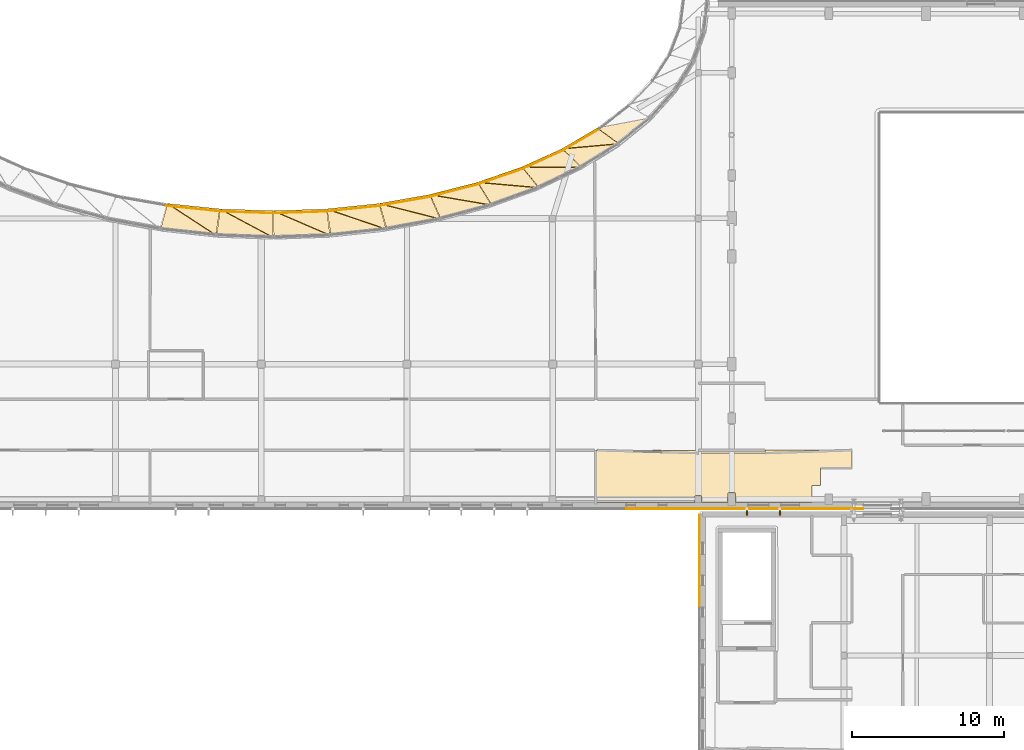
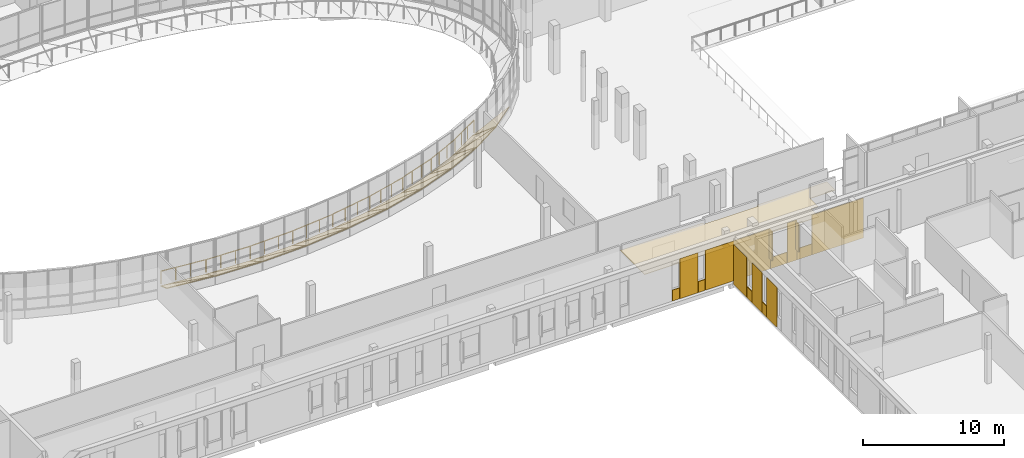
# One storey, part 71 of 84: 33 coverings, 9 railings, 2 shading devices.
"""IFC4 building model written with IfcOpenShell, lengths in metres."""

from ifc_helpers import new_model, si_unit, direction, frame, origin, origin_2d, place, context, subcontext, project, spatial, polyline, rectangle, circle, outline, extrude, material, layer, layer_set, type_object, element, save


model = new_model("IFC4")

# Units and contexts
model_context = context("Model", 3, precision=1e-05, world=origin(), true_north=direction((0.0, 1.0)))
body_context = subcontext(model_context, "Body", "Model", "MODEL_VIEW")
ifc_project = project(units=[si_unit("LENGTHUNIT", "METRE"), si_unit("AREAUNIT", "SQUARE_METRE"), si_unit("VOLUMEUNIT", "CUBIC_METRE"), si_unit("PLANEANGLEUNIT", "RADIAN"), si_unit("MASSUNIT", "GRAM", prefix="KILO")], contexts=[model_context])

# Site, building, storey
site_placement = place(None, origin())
site = spatial("IfcSite", under=ifc_project, at=site_placement, CompositionType="ELEMENT")
building_placement = place(site_placement, origin())
building = spatial("IfcBuilding", under=site, at=building_placement, Name="Mzevani Central Library", CompositionType="ELEMENT")
storey_placement = place(building_placement, frame((0.0, 0.0, 5.39990234375)))
storey = spatial("IfcBuildingStorey", under=building, at=storey_placement, Name="L01", CompositionType="ELEMENT", Elevation=5.39990234375)

# Shading devices
ifc_material_1 = material(Name="Anodized architectural bronze")
shading_device_type = type_object("IfcShadingDeviceType", Name="Anodized Bronze Vertical Sun-Breaker Fin", PredefinedType="USERDEFINED", material=ifc_material_1)
shading_device_1_placement = place(storey_placement, frame((117.3798828125, 42.27490234375, 0.9501953125), z_axis=(0.0, 0.0, 1.0), x_axis=(-1.0, 0.0, 0.0)))
element("IfcShadingDevice", 1, at=shading_device_1_placement, inside=storey, type_object=shading_device_type, Name="L01 V1 Solar Fin (51)", ObjectType="SOLAR FIN", PredefinedType="USERDEFINED", context=body_context, shape_type="SweptSolid", body=[
    extrude(rectangle(XDim=0.080078125, YDim=0.449951171875, at=origin_2d()), origin(), (0.0, 0.0, 1.0), 2.39990234375),
])
shading_device_2_placement = place(storey_placement, frame((115.205078125, 42.27490234375, 0.9501953125), z_axis=(0.0, 0.0, 1.0), x_axis=(-1.0, 0.0, 0.0)))
element("IfcShadingDevice", 2, at=shading_device_2_placement, inside=storey, type_object=shading_device_type, Name="L01 V1 Solar Fin (52)", ObjectType="SOLAR FIN", PredefinedType="USERDEFINED", context=body_context, shape_type="SweptSolid", body=[
    extrude(rectangle(XDim=0.080078125, YDim=0.449951171875, at=origin_2d()), origin(), (0.0, 0.0, 1.0), 2.5),
])

# Coverings
ifc_material_2 = material(Name="Limestone ashlar cladding", Category="masonry")
ifc_layer_1 = layer(ifc_material_2, 0.050048828125, Name="Limestone Ashlar Spandrel Cladding")
ifc_layer_set_1 = layer_set([ifc_layer_1], Name="Limestone ashlar cladding")
covering_type_1 = type_object("IfcCoveringType", Name="Limestone Ashlar Spandrel Cladding", PredefinedType="CLADDING", material=ifc_layer_set_1)
covering_1_placement = place(storey_placement, frame((77.034912109375, 62.583740234375, -0.27978515625), z_axis=(0.049396690078, 0.481754561196, 0.87491285839), x_axis=(0.994784379501, -0.102000187744, 0.0)))
element("IfcCovering", 3, at=covering_1_placement, inside=storey, type_object=covering_type_1, Name="L01 Curved Court Spandrel Apron 35A", PredefinedType="CLADDING", context=body_context, shape_type="SweptSolid", body=[
    extrude(outline(polyline([(0.0, 0.0), (3.456258956938963, 0.0), (3.373447508986308, -1.9822420428912522), (0.0, 0.0)])), origin(), (0.0, 0.0, -1.0), 0.06005859375),
])
covering_2_placement = place(storey_placement, frame((77.034912109375, 62.583740234375, -0.27978515625), z_axis=(0.052392257415, 0.485351986134, 0.87274767311), x_axis=(0.812465367048, -0.528873085869, 0.245343201231)))
element("IfcCovering", 4, at=covering_2_placement, inside=storey, type_object=covering_type_1, Name="L01 Curved Court Spandrel Apron 35B", PredefinedType="CLADDING", context=body_context, shape_type="SweptSolid", body=[
    extrude(outline(polyline([(0.0, 0.0), (3.912726876807479, -4.996003610813204e-16), (0.7444535176367338, -1.841800170663272), (0.0, 0.0)])), origin(), (0.0, 0.0, -1.0), 0.06005859375),
])
covering_3_placement = place(storey_placement, frame((80.49169921875, 62.2265625, -0.27978515625), z_axis=(0.016317300931, 0.483079762477, 0.875424290716), x_axis=(0.999430022737, -0.033758401215, 0.0)))
element("IfcCovering", 5, at=covering_3_placement, inside=storey, type_object=covering_type_1, Name="L01 Curved Court Spandrel Apron 36A", PredefinedType="CLADDING", context=body_context, shape_type="SweptSolid", body=[
    extrude(outline(polyline([(0.0, 0.0), (3.500286099116628, 1.3877787807814457e-17), (3.541180313030712, -1.9860359636508111), (0.0, 0.0)])), origin(), (0.0, 0.0, -1.0), 0.06005859375),
])
covering_4_placement = place(storey_placement, frame((80.49169921875, 62.2265625, -0.27978515625), z_axis=(0.017228233206, 0.484400490299, 0.874676713408), x_axis=(0.857240192718, -0.457423270623, 0.236438582896)))
element("IfcCovering", 6, at=covering_4_placement, inside=storey, type_object=covering_type_1, Name="L01 Curved Court Spandrel Apron 36B", PredefinedType="CLADDING", context=body_context, shape_type="SweptSolid", body=[
    extrude(outline(polyline([(0.0, 0.0), (4.060085819081993, 3.3306690738754696e-16), (0.822174097361195, -1.8093034767523744), (0.0, 0.0)])), origin(), (0.0, 0.0, -1.0), 0.06005859375),
])
covering_5_placement = place(storey_placement, frame((84.010009765625, 62.1083984375, -0.27978515625), z_axis=(-0.016365073644, 0.484494091406, 0.874641446398), x_axis=(0.999430022737, 0.033758401215, 0.0)))
element("IfcCovering", 7, at=covering_5_placement, inside=storey, type_object=covering_type_1, Name="L01 Curved Court Spandrel Apron 37A", PredefinedType="CLADDING", context=body_context, shape_type="SweptSolid", body=[
    extrude(outline(polyline([(0.0, 0.0), (3.500286099116628, 0.0), (3.66823068156122, -1.9802383529735594), (0.0, 0.0)])), origin(), (0.0, 0.0, -1.0), 0.06005859375),
])
covering_6_placement = place(storey_placement, frame((84.010009765625, 62.1083984375, -0.27978515625), z_axis=(-0.017180770215, 0.483065989221, 0.875415370663), x_axis=(0.893490787859, -0.385543383356, 0.230283546006)))
element("IfcCovering", 8, at=covering_6_placement, inside=storey, type_object=covering_type_1, Name="L01 Curved Court Spandrel Apron 37B", PredefinedType="CLADDING", context=body_context, shape_type="SweptSolid", body=[
    extrude(outline(polyline([(0.0, 0.0), (4.168604115016743, 5.551115123125783e-17), (0.9074524536260773, -1.7670713709564958), (0.0, 0.0)])), origin(), (0.0, 0.0, -1.0), 0.06005859375),
])
covering_7_placement = place(storey_placement, frame((87.52685546875, 62.231201171875, -0.27978515625), z_axis=(-0.049827518913, 0.485956335773, 0.872561549738), x_axis=(0.994784379501, 0.102000187744, 0.0)))
element("IfcCovering", 9, at=covering_7_placement, inside=storey, type_object=covering_type_1, Name="L01 Curved Court Spandrel Apron 38A", PredefinedType="CLADDING", context=body_context, shape_type="SweptSolid", body=[
    extrude(outline(polyline([(0.0, 0.0), (3.456258956938963, 0.0), (3.7474804865600797, -1.965102778294841), (0.0, 0.0)])), origin(), (0.0, 0.0, -1.0), 0.06005859375),
])
covering_8_placement = place(storey_placement, frame((87.52685546875, 62.231201171875, -0.27978515625), z_axis=(-0.051965042926, 0.481394351721, 0.874962349158), x_axis=(0.922337359872, -0.312773103207, 0.226862911236)))
element("IfcCovering", 10, at=covering_8_placement, inside=storey, type_object=covering_type_1, Name="L01 Curved Court Spandrel Apron 38B", PredefinedType="CLADDING", context=body_context, shape_type="SweptSolid", body=[
    extrude(outline(polyline([(0.0, 0.0), (4.231458250581078, 1.1102230246251565e-16), (0.9938885998328104, -1.7170692192337724), (0.0, 0.0)])), origin(), (0.0, 0.0, -1.0), 0.06005859375),
])
covering_9_placement = place(storey_placement, frame((90.98046875, 62.591552734375, -0.27978515625), z_axis=(-0.085122578126, 0.4864760707, 0.869537336363), x_axis=(0.985034157545, 0.172359242483, 0.0)))
element("IfcCovering", 11, at=covering_9_placement, inside=storey, type_object=covering_type_1, Name="L01 Curved Court Spandrel Apron 39A", PredefinedType="CLADDING", context=body_context, shape_type="SweptSolid", body=[
    extrude(outline(polyline([(0.0, 0.0), (3.36976734469017, -1.1102230246251565e-16), (3.7739522007749016, -1.9437632605156023), (0.0, 0.0)])), origin(), (0.0, 0.0, -1.0), 0.06005859375),
])
covering_10_placement = place(storey_placement, frame((90.98046875, 62.591552734375, -0.27978515625), z_axis=(-0.088132347692, 0.478484927614, 0.873661755679), x_axis=(0.944331757322, -0.238958492794, 0.226133524348)))
element("IfcCovering", 12, at=covering_10_placement, inside=storey, type_object=covering_type_1, Name="L01 Curved Court Spandrel Apron 39B", PredefinedType="CLADDING", context=body_context, shape_type="SweptSolid", body=[
    extrude(outline(polyline([(0.0, 0.0), (4.245106692023649, -5.551115123125783e-17), (1.0779483786973822, -1.6625341803806795), (0.0, 0.0)])), origin(), (0.0, 0.0, -1.0), 0.06005859375),
])
covering_11_placement = place(storey_placement, frame((94.311279296875, 63.181396484375, -0.27978515625), z_axis=(-0.123206760747, 0.484771361105, 0.865919639204), x_axis=(0.969187718636, 0.246323295783, 0.0)))
element("IfcCovering", 13, at=covering_11_placement, inside=storey, type_object=covering_type_1, Name="L01 Curved Court Spandrel Apron 40A", PredefinedType="CLADDING", context=body_context, shape_type="SweptSolid", body=[
    extrude(outline(polyline([(0.0, 0.0), (3.2439979462134962, 1.1102230246251565e-16), (3.7468586930958683, -1.919218884702827), (0.0, 0.0)])), origin(), (0.0, 0.0, -1.0), 0.06005859375),
])
covering_12_placement = place(storey_placement, frame((94.311279296875, 63.181396484375, -0.27978515625), z_axis=(-0.126622593592, 0.473040934778, 0.871893911446), x_axis=(0.959850557512, -0.16336771316, 0.228030475025)))
element("IfcCovering", 14, at=covering_12_placement, inside=storey, type_object=covering_type_1, Name="L01 Curved Court Spandrel Apron 40B", PredefinedType="CLADDING", context=body_context, shape_type="SweptSolid", body=[
    extrude(outline(polyline([(0.0, 0.0), (4.209792298133964, -5.551115123125783e-17), (1.1574733766991354, -1.6060956703231817), (0.0, 0.0)])), origin(), (0.0, 0.0, -1.0), 0.06005859375),
])
covering_13_placement = place(storey_placement, frame((97.46337890625, 63.9892578125, -0.27978515625), z_axis=(-0.164926242522, 0.478855644327, 0.862262492762), x_axis=(0.945492423857, 0.325644094723, 0.0)))
element("IfcCovering", 15, at=covering_13_placement, inside=storey, type_object=covering_type_1, Name="L01 Curved Court Spandrel Apron 41A", PredefinedType="CLADDING", context=body_context, shape_type="SweptSolid", body=[
    extrude(outline(polyline([(0.0, 0.0), (3.0828326576993037, 0.0), (3.667182783061646, -1.8954267415628663), (0.0, 0.0)])), origin(), (0.0, 0.0, -1.0), 0.06005859375),
])
covering_14_placement = place(storey_placement, frame((97.46337890625, 63.9892578125, -0.27978515625), z_axis=(-0.168103921967, 0.463632595773, 0.869934415664), x_axis=(0.968860087181, -0.085045831117, 0.232545346282)))
element("IfcCovering", 16, at=covering_14_placement, inside=storey, type_object=covering_type_1, Name="L01 Curved Court Spandrel Apron 41B", PredefinedType="CLADDING", context=body_context, shape_type="SweptSolid", body=[
    extrude(outline(polyline([(0.0, 0.0), (4.1280591198546785, -1.1102230246251565e-16), (1.2308560594081754, -1.5491682908399342), (0.0, 0.0)])), origin(), (0.0, 0.0, -1.0), 0.06005859375),
])
covering_15_placement = place(storey_placement, frame((100.3837890625, 65.00146484375, -0.27978515625), z_axis=(-0.21080749624, 0.466420766942, 0.859076171067), x_axis=(0.911249009609, 0.411855851587, 0.0)))
element("IfcCovering", 17, at=covering_15_placement, inside=storey, type_object=covering_type_1, Name="L01 Curved Court Spandrel Apron 42A", PredefinedType="CLADDING", context=body_context, shape_type="SweptSolid", body=[
    extrude(outline(polyline([(0.0, 0.0), (2.892182069976342, -1.1102230246251565e-16), (3.538133719651642, -1.8754813583797776), (0.0, 0.0)])), origin(), (0.0, 0.0, -1.0), 0.06005859375),
])
covering_16_placement = place(storey_placement, frame((100.3837890625, 65.00146484375, -0.27978515625), z_axis=(-0.213148192234, 0.447826504896, 0.868342829567), x_axis=(0.97083768776, -0.002743512682, 0.239722041464)))
element("IfcCovering", 18, at=covering_16_placement, inside=storey, type_object=covering_type_1, Name="L01 Curved Court Spandrel Apron 42B", PredefinedType="CLADDING", context=body_context, shape_type="SweptSolid", body=[
    extrude(outline(polyline([(0.0, 0.0), (4.004475064695249, -5.551115123125783e-17), (1.2966028182555978, -1.4950793737642618), (0.0, 0.0)])), origin(), (0.0, 0.0, -1.0), 0.06005859375),
])
covering_17_placement = place(storey_placement, frame((103.0234375, 66.2001953125, -0.27978515625), z_axis=(-0.261029946554, 0.444135604606, 0.857092137243), x_axis=(0.862126118655, 0.506693749255, 0.0)))
element("IfcCovering", 19, at=covering_17_placement, inside=storey, type_object=covering_type_1, Name="L01 Curved Court Spandrel Apron 43A", PredefinedType="CLADDING", context=body_context, shape_type="SweptSolid", body=[
    extrude(outline(polyline([(0.0, 0.0), (2.6809062466198696, 0.0), (3.3626212271716818, -1.8634115088382948), (0.0, 0.0)])), origin(), (0.0, 0.0, -1.0), 0.06005859375),
])
covering_18_placement = place(storey_placement, frame((103.0234375, 66.2001953125, -0.27978515625), z_axis=(-0.261849081384, 0.423116739172, 0.86741413616), x_axis=(0.964581684027, 0.085033568695, 0.249702757363)))
element("IfcCovering", 20, at=covering_18_placement, inside=storey, type_object=covering_type_1, Name="L01 Curved Court Spandrel Apron 43B", PredefinedType="CLADDING", context=body_context, shape_type="SweptSolid", body=[
    extrude(outline(polyline([(0.0, 0.0), (3.844414645781148, 0.0), (1.3528078430785293, -1.4455529200877386), (0.0, 0.0)])), origin(), (0.0, 0.0, -1.0), 0.06005859375),
])
covering_19_placement = place(storey_placement, frame((105.33740234375, 67.565673828125, -0.27978515625), z_axis=(-0.313442655385, 0.385891460235, 0.867664383678), x_axis=(0.948042678411, 0.17959047286, 0.262606820113)))
element("IfcCovering", 21, at=covering_19_placement, inside=storey, type_object=covering_type_1, Name="L01 Curved Court Spandrel Apron 44B", PredefinedType="CLADDING", context=body_context, shape_type="SweptSolid", body=[
    extrude(outline(polyline([(0.0, 0.0), (3.6555064985947725, 5.551115123125783e-17), (1.3979691579550246, -1.4044030181970746), (0.0, 0.0)])), origin(), (0.0, 0.0, -1.0), 0.06005859375),
])
covering_20_placement = place(storey_placement, frame((120.780029296875, 42.47607421875, 0.0), z_axis=(0.0, 0.0, 1.0), x_axis=(-1.0, 0.0, 0.0)))
element("IfcCovering", 22, at=covering_20_placement, inside=storey, type_object=covering_type_1, Name="L01 Warm-White Facade Pier 20 (EW4-V1-L01-0006)", PredefinedType="CLADDING", context=body_context, shape_type="SweptSolid", body=[
    extrude(rectangle(XDim=4.199951171875, YDim=0.050048828125, at=origin_2d()), origin(), (0.0, 0.0, 1.0), 3.449951171875),
])
covering_21_placement = place(storey_placement, frame((118.06005859375, 42.47607421875, 0.0), z_axis=(0.0, 0.0, 1.0), x_axis=(-1.0, 0.0, 0.0)))
element("IfcCovering", 23, at=covering_21_placement, inside=storey, type_object=covering_type_1, Name="L01 Warm-White Sill Cladding 21 (EW4-V1-L01-0006)", PredefinedType="CLADDING", context=body_context, shape_type="SweptSolid", body=[
    extrude(rectangle(XDim=1.199951171875, YDim=0.050048828125, at=origin_2d()), origin(), (0.0, 0.0, 1.0), 0.949951171875),
])
covering_22_placement = place(storey_placement, frame((117.047607421875, 42.47607421875, 0.0), z_axis=(0.0, 0.0, 1.0), x_axis=(-1.0, 0.0, 0.0)))
element("IfcCovering", 24, at=covering_22_placement, inside=storey, type_object=covering_type_1, Name="L01 Warm-White Facade Pier 22 (EW4-V1-L01-0006)", PredefinedType="CLADDING", context=body_context, shape_type="SweptSolid", body=[
    extrude(rectangle(XDim=0.784912109375, YDim=0.050048828125, at=origin_2d()), origin(), (0.0, 0.0, 1.0), 3.449951171875),
])
covering_23_placement = place(storey_placement, frame((115.9599609375, 42.47607421875, 0.0), z_axis=(0.0, 0.0, 1.0), x_axis=(-1.0, 0.0, 0.0)))
element("IfcCovering", 25, at=covering_23_placement, inside=storey, type_object=covering_type_1, Name="L01 Warm-White Sill Cladding 23 (EW4-V1-L01-0006)", PredefinedType="CLADDING", context=body_context, shape_type="SweptSolid", body=[
    extrude(rectangle(XDim=1.35009765625, YDim=0.050048828125, at=origin_2d()), origin(), (0.0, 0.0, 1.0), 0.949951171875),
])
covering_24_placement = place(storey_placement, frame((112.610107421875, 42.47607421875, 0.0), z_axis=(0.0, 0.0, 1.0), x_axis=(-1.0, 0.0, 0.0)))
element("IfcCovering", 26, at=covering_24_placement, inside=storey, type_object=covering_type_1, Name="L01 Warm-White Facade Pier 24 (EW4-V1-L01-0006)", PredefinedType="CLADDING", context=body_context, shape_type="SweptSolid", body=[
    extrude(rectangle(XDim=5.31005859375, YDim=0.050048828125, at=origin_2d()), origin(), (0.0, 0.0, 1.0), 3.449951171875),
])
covering_25_placement = place(storey_placement, frame((109.659912109375, 42.47607421875, 0.0), z_axis=(0.0, 0.0, 1.0), x_axis=(-1.0, 0.0, 0.0)))
element("IfcCovering", 27, at=covering_25_placement, inside=storey, type_object=covering_type_1, Name="L01 Warm-White Sill Cladding 25 (EW4-V1-L01-0006)", PredefinedType="CLADDING", context=body_context, shape_type="SweptSolid", body=[
    extrude(rectangle(XDim=0.550048828125, YDim=0.050048828125, at=origin_2d()), origin(), (0.0, 0.0, 1.0), 0.949951171875),
])
covering_26_placement = place(storey_placement, frame((108.62255859375, 42.47607421875, 0.0), z_axis=(0.0, 0.0, 1.0), x_axis=(-1.0, 0.0, 0.0)))
element("IfcCovering", 28, at=covering_26_placement, inside=storey, type_object=covering_type_1, Name="L01 Warm-White Facade Pier 26 (EW4-V1-L01-0006)", PredefinedType="CLADDING", context=body_context, shape_type="SweptSolid", body=[
    extrude(rectangle(XDim=1.485107421875, YDim=0.050048828125, at=origin_2d()), origin(), (0.0, 0.0, 1.0), 3.449951171875),
])
covering_27_placement = place(storey_placement, frame((107.56005859375, 42.47607421875, 0.0), z_axis=(0.0, 0.0, 1.0), x_axis=(-1.0, 0.0, 0.0)))
element("IfcCovering", 29, at=covering_27_placement, inside=storey, type_object=covering_type_1, Name="L01 Warm-White Sill Cladding 27 (EW4-V1-L01-0006)", PredefinedType="CLADDING", context=body_context, shape_type="SweptSolid", body=[
    extrude(rectangle(XDim=0.60009765625, YDim=0.050048828125, at=origin_2d()), origin(), (0.0, 0.0, 1.0), 0.949951171875),
])
covering_28_placement = place(storey_placement, frame((112.075927734375, 36.677490234375, 0.0), z_axis=(0.0, 0.0, 1.0), x_axis=(0.0, 1.0, 0.0)))
element("IfcCovering", 30, at=covering_28_placement, inside=storey, type_object=covering_type_1, Name="L01 Warm-White Facade Pier 29 (EW4-V6-L01-0107)", PredefinedType="CLADDING", context=body_context, shape_type="SweptSolid", body=[
    extrude(rectangle(XDim=1.43505859375, YDim=0.050048828125, at=origin_2d()), origin(), (0.0, 0.0, 1.0), 3.449951171875),
])
covering_29_placement = place(storey_placement, frame((112.075927734375, 37.739990234375, 0.0), z_axis=(0.0, 0.0, 1.0), x_axis=(0.0, 1.0, 0.0)))
element("IfcCovering", 31, at=covering_29_placement, inside=storey, type_object=covering_type_1, Name="L01 Warm-White Sill Cladding 30 (EW4-V6-L01-0107)", PredefinedType="CLADDING", context=body_context, shape_type="SweptSolid", body=[
    extrude(rectangle(XDim=0.64990234375, YDim=0.050048828125, at=origin_2d()), origin(), (0.0, 0.0, 1.0), 0.949951171875),
])
covering_30_placement = place(storey_placement, frame((112.075927734375, 38.764892578125, 0.0), z_axis=(0.0, 0.0, 1.0), x_axis=(0.0, 1.0, 0.0)))
element("IfcCovering", 32, at=covering_30_placement, inside=storey, type_object=covering_type_1, Name="L01 Warm-White Facade Pier 31 (EW4-V6-L01-0107)", PredefinedType="CLADDING", context=body_context, shape_type="SweptSolid", body=[
    extrude(rectangle(XDim=1.360107421875, YDim=0.050048828125, at=origin_2d()), origin(), (0.0, 0.0, 1.0), 3.449951171875),
])
covering_31_placement = place(storey_placement, frame((112.075927734375, 39.840087890625, 0.0), z_axis=(0.0, 0.0, 1.0), x_axis=(0.0, 1.0, 0.0)))
element("IfcCovering", 33, at=covering_31_placement, inside=storey, type_object=covering_type_1, Name="L01 Warm-White Sill Cladding 32 (EW4-V6-L01-0107)", PredefinedType="CLADDING", context=body_context, shape_type="SweptSolid", body=[
    extrude(rectangle(XDim=0.75, YDim=0.050048828125, at=origin_2d()), origin(), (0.0, 0.0, 1.0), 0.949951171875),
])
covering_32_placement = place(storey_placement, frame((112.075927734375, 41.16259765625, 0.0), z_axis=(0.0, 0.0, 1.0), x_axis=(0.0, 1.0, 0.0)))
element("IfcCovering", 34, at=covering_32_placement, inside=storey, type_object=covering_type_1, Name="L01 Warm-White Facade Pier 33 (EW4-V6-L01-0107)", PredefinedType="CLADDING", context=body_context, shape_type="SweptSolid", body=[
    extrude(rectangle(XDim=1.85498046875, YDim=0.050048828125, at=origin_2d()), origin(), (0.0, 0.0, 1.0), 3.449951171875),
])
ifc_material_3 = material(Name="Mineral wool acoustic ceiling")
ifc_layer_2 = layer(ifc_material_3, 0.0400390625, Name="Perforated Timber Acoustic Ceiling")
ifc_layer_set_2 = layer_set([ifc_layer_2], Name="Mineral wool acoustic ceiling")
covering_type_2 = type_object("IfcCoveringType", Name="Perforated Timber Acoustic Ceiling", PredefinedType="CEILING", material=ifc_layer_set_2)
covering_33_placement = place(storey_placement, frame((0.0, 0.0, 2.72998046875)))
element("IfcCovering", 35, at=covering_33_placement, inside=storey, type_object=covering_type_2, Name="L01 Upper Reading Mezzanine 2 Acoustic Ceiling", PredefinedType="CEILING", context=body_context, shape_type="SweptSolid", body=[
    extrude(outline(polyline([(112.009765625, 46.322021484375), (112.010009765625, 46.14306640625), (116.389892578125, 46.14306640625), (116.39990234375, 46.330078125), (122.12109375, 46.330078125), (122.1298828125, 45.14892578125), (120.06005859375, 45.139892578125), (120.0595703125, 43.9970703125), (119.485107421875, 43.989990234375), (119.47607421875, 42.8701171875), (114.449951171875, 42.8701171875), (114.449951171875, 43.5), (113.949951171875, 43.5), (113.949951171875, 42.8701171875), (105.2412109375, 42.875244140625), (105.245361328125, 46.328857421875), (112.009765625, 46.322021484375)]), holes=[polyline([(111.77490234375, 43.324951171875), (111.77490234375, 42.875), (112.22509765625, 42.875), (112.22509765625, 43.324951171875), (111.77490234375, 43.324951171875)])]), origin(), (0.0, 0.0, 1.0), 0.0400390625),
])

# Railings
railing_type = type_object("IfcRailingType", Name="Terrace and Court Balustrade 1100", PredefinedType="BALUSTRADE", material=ifc_material_1)
railing_1_placement = place(storey_placement, frame((76.977294921875, 62.434326171875, 0.0)))
element("IfcRailing", 36, at=railing_1_placement, inside=storey, type_object=railing_type, Name="L01 Elliptical Court Terrace Guard 35", PredefinedType="BALUSTRADE", context=body_context, shape_type="SweptSolid", body=[
    extrude(circle(Radius=0.02392578125, at=origin_2d()), frame((0.0, 0.0, 1.076171875), z_axis=(0.994791544531, -0.101930284652, 0.0), x_axis=(0.101930284652, 0.994791544531, 0.0)), (0.0, 0.0, 1.0), 3.456298828125),
    extrude(circle(Radius=0.02099609375, at=origin_2d()), origin(), (0.0, 0.0, 1.0), 1.052001953125),
    extrude(circle(Radius=0.02099609375, at=origin_2d()), frame((1.14599609375, -0.117431640625, 0.0)), (0.0, 0.0, 1.0), 1.052001953125),
    extrude(circle(Radius=0.02099609375, at=origin_2d()), frame((2.292236328125, -0.23486328125, 0.0)), (0.0, 0.0, 1.0), 1.052001953125),
    extrude(circle(Radius=0.02099609375, at=origin_2d()), frame((3.438232421875, -0.352294921875, 0.0)), (0.0, 0.0, 1.0), 1.052001953125),
])
railing_2_placement = place(storey_placement, frame((80.4716796875, 62.06787109375, 0.0)))
element("IfcRailing", 37, at=railing_2_placement, inside=storey, type_object=railing_type, Name="L01 Elliptical Court Terrace Guard 36", PredefinedType="BALUSTRADE", context=body_context, shape_type="SweptSolid", body=[
    extrude(circle(Radius=0.02392578125, at=origin_2d()), frame((0.0, 0.0, 1.076171875), z_axis=(0.999429943241, -0.033760754643, 0.0), x_axis=(0.033760754643, 0.999429943241, 0.0)), (0.0, 0.0, 1.0), 3.5),
    extrude(circle(Radius=0.02099609375, at=origin_2d()), origin(), (0.0, 0.0, 1.0), 1.052001953125),
    extrude(circle(Radius=0.02099609375, at=origin_2d()), frame((1.166015625, -0.039306640625, 0.0)), (0.0, 0.0, 1.0), 1.052001953125),
    extrude(circle(Radius=0.02099609375, at=origin_2d()), frame((2.33203125, -0.078857421875, 0.0)), (0.0, 0.0, 1.0), 1.052001953125),
    extrude(circle(Radius=0.02099609375, at=origin_2d()), frame((3.498046875, -0.1181640625, 0.0)), (0.0, 0.0, 1.0), 1.052001953125),
])
railing_3_placement = place(storey_placement, frame((84.0302734375, 61.94970703125, 0.0)))
element("IfcRailing", 38, at=railing_3_placement, inside=storey, type_object=railing_type, Name="L01 Elliptical Court Terrace Guard 37", PredefinedType="BALUSTRADE", context=body_context, shape_type="SweptSolid", body=[
    extrude(circle(Radius=0.02392578125, at=origin_2d()), frame((0.0, 0.0, 1.076171875), z_axis=(0.999429943241, 0.033760754643, 0.0), x_axis=(-0.033760754643, 0.999429943241, 0.0)), (0.0, 0.0, 1.0), 3.5),
    extrude(circle(Radius=0.02099609375, at=origin_2d()), origin(), (0.0, 0.0, 1.0), 1.052001953125),
    extrude(circle(Radius=0.02099609375, at=origin_2d()), frame((1.166015625, 0.039306640625, 0.0)), (0.0, 0.0, 1.0), 1.052001953125),
    extrude(circle(Radius=0.02099609375, at=origin_2d()), frame((2.33203125, 0.078857421875, 0.0)), (0.0, 0.0, 1.0), 1.052001953125),
    extrude(circle(Radius=0.02099609375, at=origin_2d()), frame((3.498046875, 0.1181640625, 0.0)), (0.0, 0.0, 1.0), 1.052001953125),
])
railing_4_placement = place(storey_placement, frame((87.58447265625, 62.08203125, 0.0)))
element("IfcRailing", 39, at=railing_4_placement, inside=storey, type_object=railing_type, Name="L01 Elliptical Court Terrace Guard 38", PredefinedType="BALUSTRADE", context=body_context, shape_type="SweptSolid", body=[
    extrude(circle(Radius=0.02392578125, at=origin_2d()), frame((0.0, 0.0, 1.076171875), z_axis=(0.994791544531, 0.101930284652, 0.0), x_axis=(-0.101930284652, 0.994791544531, 0.0)), (0.0, 0.0, 1.0), 3.456298828125),
    extrude(circle(Radius=0.02099609375, at=origin_2d()), origin(), (0.0, 0.0, 1.0), 1.052001953125),
    extrude(circle(Radius=0.02099609375, at=origin_2d()), frame((1.14599609375, 0.117431640625, 0.0)), (0.0, 0.0, 1.0), 1.052001953125),
    extrude(circle(Radius=0.02099609375, at=origin_2d()), frame((2.292236328125, 0.23486328125, 0.0)), (0.0, 0.0, 1.0), 1.052001953125),
    extrude(circle(Radius=0.02099609375, at=origin_2d()), frame((3.438232421875, 0.352294921875, 0.0)), (0.0, 0.0, 1.0), 1.052001953125),
])
railing_5_placement = place(storey_placement, frame((91.068359375, 62.4580078125, 0.0)))
element("IfcRailing", 40, at=railing_5_placement, inside=storey, type_object=railing_type, Name="L01 Elliptical Court Terrace Guard 39", PredefinedType="BALUSTRADE", context=body_context, shape_type="SweptSolid", body=[
    extrude(circle(Radius=0.02392578125, at=origin_2d()), frame((0.0, 0.0, 1.076171875), z_axis=(0.985036309647, 0.172346942756, 0.0), x_axis=(-0.172346942756, 0.985036309647, 0.0)), (0.0, 0.0, 1.0), 3.3701171875),
    extrude(circle(Radius=0.02099609375, at=origin_2d()), origin(), (0.0, 0.0, 1.0), 1.052001953125),
    extrude(circle(Radius=0.02099609375, at=origin_2d()), frame((1.1064453125, 0.193603515625, 0.0)), (0.0, 0.0, 1.0), 1.052001953125),
    extrude(circle(Radius=0.02099609375, at=origin_2d()), frame((2.213134765625, 0.38720703125, 0.0)), (0.0, 0.0, 1.0), 1.052001953125),
    extrude(circle(Radius=0.02099609375, at=origin_2d()), frame((3.319580078125, 0.580810546875, 0.0)), (0.0, 0.0, 1.0), 1.052001953125),
])
railing_6_placement = place(storey_placement, frame((94.421875, 63.065673828125, 0.0)))
element("IfcRailing", 41, at=railing_6_placement, inside=storey, type_object=railing_type, Name="L01 Elliptical Court Terrace Guard 40", PredefinedType="BALUSTRADE", context=body_context, shape_type="SweptSolid", body=[
    extrude(circle(Radius=0.02392578125, at=origin_2d()), frame((0.0, 0.0, 1.076171875), z_axis=(0.969187718636, 0.246323295783, 0.0), x_axis=(-0.246323295783, 0.969187718636, 0.0)), (0.0, 0.0, 1.0), 3.243896484375),
    extrude(circle(Radius=0.02099609375, at=origin_2d()), origin(), (0.0, 0.0, 1.0), 1.052001953125),
    extrude(circle(Radius=0.02099609375, at=origin_2d()), frame((1.048095703125, 0.266357421875, 0.0)), (0.0, 0.0, 1.0), 1.052001953125),
    extrude(circle(Radius=0.02099609375, at=origin_2d()), frame((2.095947265625, 0.53271484375, 0.0)), (0.0, 0.0, 1.0), 1.052001953125),
    extrude(circle(Radius=0.02099609375, at=origin_2d()), frame((3.14404296875, 0.799072265625, 0.0)), (0.0, 0.0, 1.0), 1.052001953125),
])
railing_7_placement = place(storey_placement, frame((97.590087890625, 63.8916015625, 0.0)))
element("IfcRailing", 42, at=railing_7_placement, inside=storey, type_object=railing_type, Name="L01 Elliptical Court Terrace Guard 41", PredefinedType="BALUSTRADE", context=body_context, shape_type="SweptSolid", body=[
    extrude(circle(Radius=0.02392578125, at=origin_2d()), frame((0.0, 0.0, 1.076171875), z_axis=(0.945492423857, 0.325644094723, 0.0), x_axis=(-0.325644094723, 0.945492423857, 0.0)), (0.0, 0.0, 1.0), 3.082763671875),
    extrude(circle(Radius=0.02099609375, at=origin_2d()), origin(), (0.0, 0.0, 1.0), 1.052001953125),
    extrude(circle(Radius=0.02099609375, at=origin_2d()), frame((0.9716796875, 0.334716796875, 0.0)), (0.0, 0.0, 1.0), 1.052001953125),
    extrude(circle(Radius=0.02099609375, at=origin_2d()), frame((1.943115234375, 0.669189453125, 0.0)), (0.0, 0.0, 1.0), 1.052001953125),
    extrude(circle(Radius=0.02099609375, at=origin_2d()), frame((2.914794921875, 1.00390625, 0.0)), (0.0, 0.0, 1.0), 1.052001953125),
])
railing_8_placement = place(storey_placement, frame((100.521728515625, 64.92041015625, 0.0)))
element("IfcRailing", 43, at=railing_8_placement, inside=storey, type_object=railing_type, Name="L01 Elliptical Court Terrace Guard 42", PredefinedType="BALUSTRADE", context=body_context, shape_type="SweptSolid", body=[
    extrude(circle(Radius=0.02392578125, at=origin_2d()), frame((0.0, 0.0, 1.076171875), z_axis=(0.9112633267, 0.411824172932, 0.0), x_axis=(-0.411824172932, 0.9112633267, 0.0)), (0.0, 0.0, 1.0), 2.892333984375),
    extrude(circle(Radius=0.02099609375, at=origin_2d()), origin(), (0.0, 0.0, 1.0), 1.052001953125),
    extrude(circle(Radius=0.02099609375, at=origin_2d()), frame((0.878662109375, 0.39697265625, 0.0)), (0.0, 0.0, 1.0), 1.052001953125),
    extrude(circle(Radius=0.02099609375, at=origin_2d()), frame((1.757080078125, 0.794189453125, 0.0)), (0.0, 0.0, 1.0), 1.052001953125),
    extrude(circle(Radius=0.02099609375, at=origin_2d()), frame((2.6357421875, 1.191162109375, 0.0)), (0.0, 0.0, 1.0), 1.052001953125),
])
railing_9_placement = place(storey_placement, frame((103.169189453125, 66.134521484375, 0.0)))
element("IfcRailing", 44, at=railing_9_placement, inside=storey, type_object=railing_type, Name="L01 Elliptical Court Terrace Guard 43", PredefinedType="BALUSTRADE", context=body_context, shape_type="SweptSolid", body=[
    extrude(circle(Radius=0.02392578125, at=origin_2d()), frame((0.0, 0.0, 1.076171875), z_axis=(0.862149496171, 0.506653970923, 0.0), x_axis=(-0.506653970923, 0.862149496171, 0.0)), (0.0, 0.0, 1.0), 2.68115234375),
    extrude(circle(Radius=0.02099609375, at=origin_2d()), origin(), (0.0, 0.0, 1.0), 1.052001953125),
    extrude(circle(Radius=0.02099609375, at=origin_2d()), frame((0.7705078125, 0.452880859375, 0.0)), (0.0, 0.0, 1.0), 1.052001953125),
    extrude(circle(Radius=0.02099609375, at=origin_2d()), frame((1.541015625, 0.905517578125, 0.0)), (0.0, 0.0, 1.0), 1.052001953125),
    extrude(circle(Radius=0.02099609375, at=origin_2d()), frame((2.3115234375, 1.3583984375, 0.0)), (0.0, 0.0, 1.0), 1.052001953125),
])

save(model, "model.ifc")
